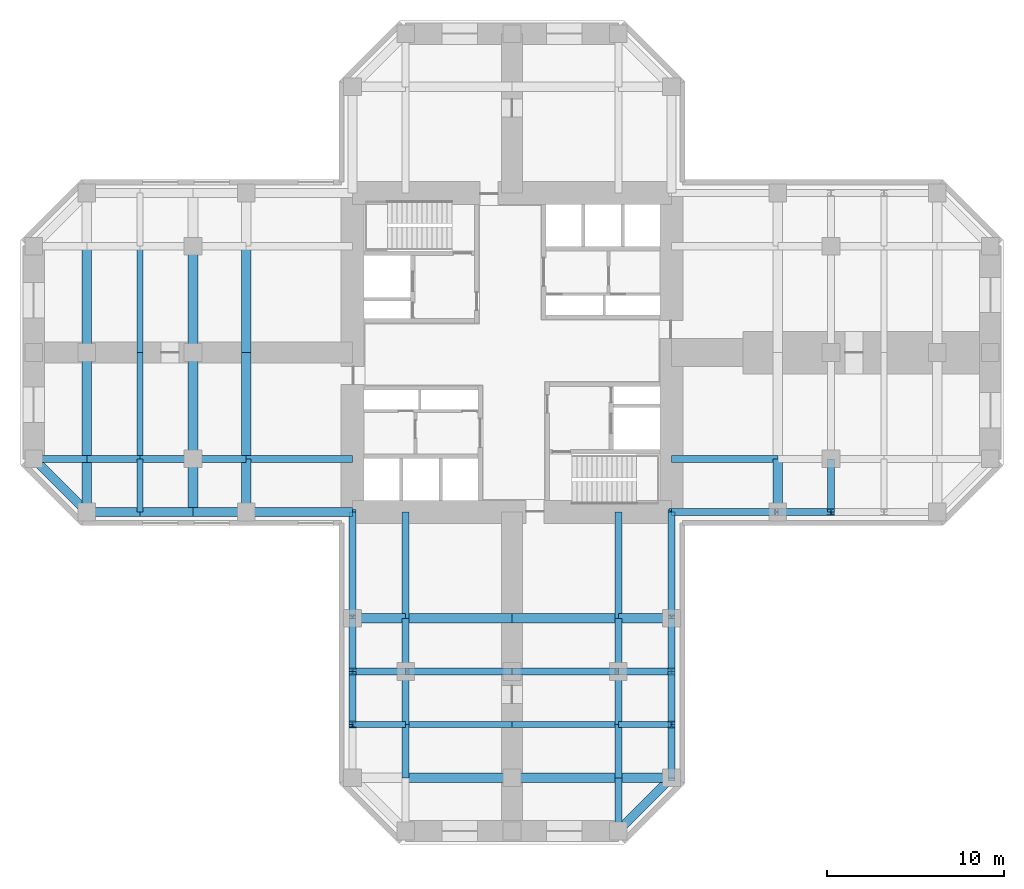
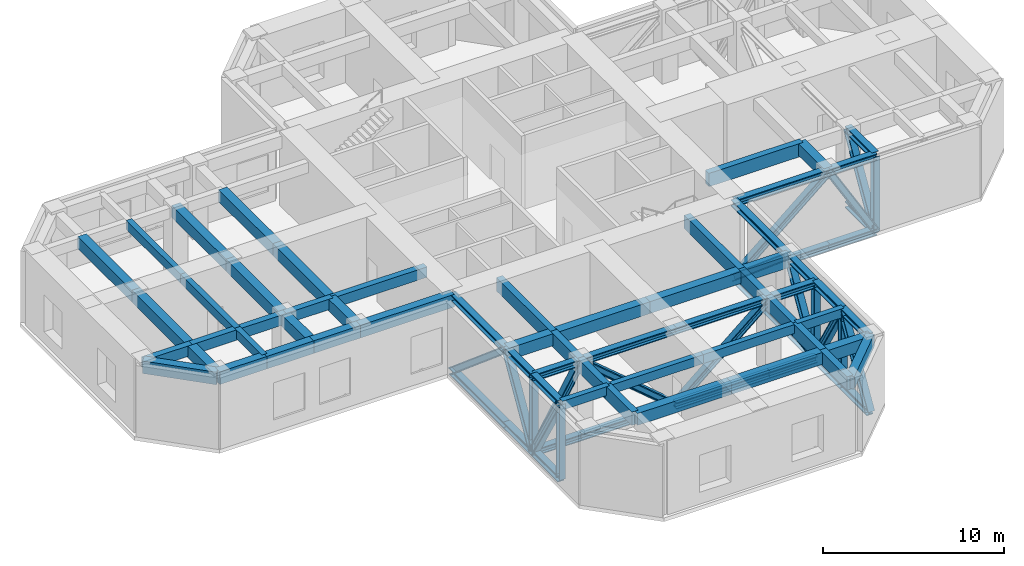
# One storey, part 2 of 8: 47 members, 45 beams.
"""IFC4 building model written with IfcOpenShell, lengths in metres."""

from ifc_helpers import new_model, si_unit, direction, frame, origin, origin_2d, place, context, subcontext, project, spatial, rectangle, i_section, extrude, material, material_profile, profile_set, type_object, element, save


model = new_model("IFC4")

# Units and contexts
model_context = context("Model", 3, precision=1e-05, world=origin(), true_north=direction((0.0, 1.0)))
body_context = subcontext(model_context, "Body", "Model", "MODEL_VIEW")
ifc_project = project(units=[si_unit("LENGTHUNIT", "METRE"), si_unit("AREAUNIT", "SQUARE_METRE"), si_unit("VOLUMEUNIT", "CUBIC_METRE"), si_unit("PLANEANGLEUNIT", "RADIAN"), si_unit("MASSUNIT", "GRAM", prefix="KILO")], contexts=[model_context])

# Site, building, storey
site_placement = place(None, origin())
site = spatial("IfcSite", under=ifc_project, at=site_placement, CompositionType="ELEMENT")
building_placement = place(site_placement, origin())
building = spatial("IfcBuilding", under=site, at=building_placement, Name="Torre Cruceta", CompositionType="ELEMENT")
storey_placement = place(building_placement, frame((0.0, 0.0, 164.5)))
storey = spatial("IfcBuildingStorey", under=building, at=storey_placement, Name="L40", CompositionType="ELEMENT", Elevation=164.5)

# Members
ifc_material_1 = material(Name="Steel A913 Gr65", Category="steel")
ifc_material_profile_1 = material_profile(ifc_material_1, i_section(OverallWidth=0.41162109375, OverallDepth=0.434326171875, WebThickness=0.035888671875, FlangeThickness=0.057373046875, at=origin_2d()), Name="W14X311")
ifc_profile_set_1 = profile_set([ifc_material_profile_1], Name="Steel A913 Gr65")
member_type_1 = type_object("IfcMemberType", Name="BELT TRUSS CHORD 2 W14X311", PredefinedType="CHORD", material=ifc_profile_set_1)
for number, where, z_axis, x_axis, name in (
    (1, (9.0, -9.0, -0.467041015625), (1.0, 0.0, 0.0), (0.0, 1.0, 0.0), "Belt truss 2 S-B1"),
    (2, (9.0, -9.0, 4.602783203125), (1.0, 0.0, 0.0), (0.0, 1.0, 0.0), "Belt truss 2 S-T1"),
):
    element("IfcMember", number, at=place(storey_placement, frame(where, z_axis=z_axis, x_axis=x_axis)), inside=storey, type_object=member_type_1, Name=name, PredefinedType="CHORD", context=body_context, shape_type="SweptSolid", body=[
        extrude(i_section(OverallWidth=0.41162109375, OverallDepth=0.434326171875, WebThickness=0.035888671875, FlangeThickness=0.057373046875, at=origin_2d()), origin(), (0.0, 0.0, 1.0), 6.0),
    ])
for number, where, z_axis, x_axis, name in (
    (3, (15.0, -9.0, -0.467041015625), (1.0, 0.0, 0.0), (0.0, 1.0, 0.0), "Belt truss 2 S-B2"),
    (4, (15.0, -9.0, 4.602783203125), (1.0, 0.0, 0.0), (0.0, 1.0, 0.0), "Belt truss 2 S-T2"),
    (5, (18.0, -9.0, -0.467041015625), (0.0, 1.0, 0.0), (-1.0, 0.0, 0.0), "Belt truss 2 XB1"),
    (6, (18.0, -9.0, 4.602783203125), (0.0, 1.0, 0.0), (-1.0, 0.0, 0.0), "Belt truss 2 XT1"),
):
    element("IfcMember", number, at=place(storey_placement, frame(where, z_axis=z_axis, x_axis=x_axis)), inside=storey, type_object=member_type_1, Name=name, PredefinedType="CHORD", context=body_context, shape_type="SweptSolid", body=[
        extrude(i_section(OverallWidth=0.41162109375, OverallDepth=0.434326171875, WebThickness=0.035888671875, FlangeThickness=0.057373046875, at=origin_2d()), origin(), (0.0, 0.0, 1.0), 3.0),
    ])
ifc_material_2 = material(Name="Steel A913 Gr65", Category="steel")
ifc_material_profile_2 = material_profile(ifc_material_2, i_section(OverallWidth=0.41162109375, OverallDepth=0.434326171875, WebThickness=0.035888671875, FlangeThickness=0.057373046875, at=origin_2d()), Name="W14X311")
ifc_profile_set_2 = profile_set([ifc_material_profile_2], Name="Steel A913 Gr65")
member_type_2 = type_object("IfcMemberType", Name="BELT TRUSS DIAGONAL 2 W14X311", PredefinedType="BRACE", material=ifc_profile_set_2)
member_1_placement = place(storey_placement, frame((9.0, -9.0, -0.467041015625), z_axis=(0.763831732231, 0.0, 0.645415435853), x_axis=(0.0, 1.0, 0.0)))
element("IfcMember", 7, at=member_1_placement, inside=storey, type_object=member_type_2, Name="Belt truss 2 S-D1", PredefinedType="BRACE", context=body_context, shape_type="SweptSolid", body=[
    extrude(i_section(OverallWidth=0.41162109375, OverallDepth=0.434326171875, WebThickness=0.035888671875, FlangeThickness=0.057373046875, at=origin_2d()), origin(), (0.0, 0.0, 1.0), 7.855224609375),
])
for number, where, z_axis, x_axis, name in (
    (8, (18.0, -9.0, -0.467041015625), (-0.509257001606, 0.0, 0.860614493438), (0.0, -1.0, 0.0), "Belt truss 2 S-D2"),
    (9, (18.0, -9.0, -0.467041015625), (0.0, 0.509257001606, 0.860614493438), (-1.0, 0.0, 0.0), "Belt truss 2 XD1"),
):
    element("IfcMember", number, at=place(storey_placement, frame(where, z_axis=z_axis, x_axis=x_axis)), inside=storey, type_object=member_type_2, Name=name, PredefinedType="BRACE", context=body_context, shape_type="SweptSolid", body=[
        extrude(i_section(OverallWidth=0.41162109375, OverallDepth=0.434326171875, WebThickness=0.035888671875, FlangeThickness=0.057373046875, at=origin_2d()), origin(), (0.0, 0.0, 1.0), 5.890869140625),
    ])
ifc_material_3 = material(Name="Steel A913 Gr65", Category="steel")
ifc_material_profile_3 = material_profile(ifc_material_3, i_section(OverallWidth=0.393798828125, OverallDepth=0.3759765625, WebThickness=0.017333984375, FlangeThickness=0.027587890625, at=origin_2d()), Name="W14X145")
ifc_profile_set_3 = profile_set([ifc_material_profile_3], Name="Steel A913 Gr65")
member_type_3 = type_object("IfcMemberType", Name="BELT TRUSS POST 2 W14X145", PredefinedType="POST", material=ifc_profile_set_3)
member_2_placement = place(storey_placement, frame((18.0, -9.0, -0.467041015625), z_axis=(0.0, 0.0, 1.0), x_axis=(1.0, 0.0, 0.0)))
element("IfcMember", 10, at=member_2_placement, inside=storey, type_object=member_type_3, Name="Belt truss 2 S-P18", PredefinedType="POST", context=body_context, shape_type="SweptSolid", body=[
    extrude(i_section(OverallWidth=0.393798828125, OverallDepth=0.3759765625, WebThickness=0.017333984375, FlangeThickness=0.027587890625, at=origin_2d()), origin(), (0.0, 0.0, 1.0), 5.06982421875),
])

# Beams
ifc_material_4 = material(Name="Concrete G60 (fck 60 MPa)", Category="concrete")
ifc_material_profile_4 = material_profile(ifc_material_4, rectangle(XDim=0.39990234375, YDim=0.699951171875, at=origin_2d()), Name="RC 400X700")
ifc_profile_set_4 = profile_set([ifc_material_profile_4], Name="Concrete G60 (fck 60 MPa)")
beam_type_1 = type_object("IfcBeamType", Name="COLUMN LINE BEAM RC 400X700", PredefinedType="BEAM", material=ifc_profile_set_4)
beam_1_placement = place(storey_placement, frame((-9.0, -6.0, 4.469970703125), z_axis=(-1.0, 0.0, 0.0), x_axis=(0.0, -1.0, 0.0)))
element("IfcBeam", 11, at=beam_1_placement, inside=storey, type_object=beam_type_1, Name="LB5 L40 W col+ 1", PredefinedType="BEAM", context=body_context, shape_type="SweptSolid", body=[
    extrude(rectangle(XDim=0.39990234375, YDim=0.699951171875, at=origin_2d()), origin(), (0.0, 0.0, 1.0), 6.0),
])
for number, where, z_axis, x_axis, name in (
    (12, (-15.0, -6.0, 4.469970703125), (-1.0, 0.0, 0.0), (0.0, -1.0, 0.0), "LB5 L40 W col+ 2"),
    (13, (-18.0, -6.0, 4.469970703125), (-1.0, 0.0, 0.0), (0.0, -1.0, 0.0), "LB5 L40 W col+ 3"),
    (14, (-21.0, -6.0, 4.469970703125), (-1.0, 0.0, 0.0), (0.0, -1.0, 0.0), "LB5 L40 W col+ 4"),
    (15, (-24.0, -6.0, 4.469970703125), (-1.0, 0.0, 0.0), (0.0, -1.0, 0.0), "LB5 L40 W col+ 5"),
):
    element("IfcBeam", number, at=place(storey_placement, frame(where, z_axis=z_axis, x_axis=x_axis)), inside=storey, type_object=beam_type_1, Name=name, PredefinedType="BEAM", context=body_context, shape_type="SweptSolid", body=[
        extrude(rectangle(XDim=0.39990234375, YDim=0.699951171875, at=origin_2d()), origin(), (0.0, 0.0, 1.0), 3.0),
    ])
ifc_material_5 = material(Name="Concrete G60 (fck 60 MPa)", Category="concrete")
ifc_material_profile_5 = material_profile(ifc_material_5, rectangle(XDim=0.39990234375, YDim=0.89990234375, at=origin_2d()), Name="RC 400X900")
ifc_profile_set_5 = profile_set([ifc_material_profile_5], Name="Concrete G60 (fck 60 MPa)")
beam_type_2 = type_object("IfcBeamType", Name="COLUMN LINE BEAM RC 400X900", PredefinedType="BEAM", material=ifc_profile_set_5)
for number, where, z_axis, x_axis, name in (
    (16, (9.0, -6.0, 4.3701171875), (1.0, 0.0, 0.0), (0.0, 1.0, 0.0), "LB6 L40 E col- 1"),
    (17, (-6.0, -9.0, 4.3701171875), (0.0, -1.0, 0.0), (1.0, 0.0, 0.0), "LB6 L40 S col- 1"),
):
    element("IfcBeam", number, at=place(storey_placement, frame(where, z_axis=z_axis, x_axis=x_axis)), inside=storey, type_object=beam_type_2, Name=name, PredefinedType="BEAM", context=body_context, shape_type="SweptSolid", body=[
        extrude(rectangle(XDim=0.39990234375, YDim=0.89990234375, at=origin_2d()), origin(), (0.0, 0.0, 1.0), 6.0),
    ])
for number, where, z_axis, x_axis, name in (
    (18, (-6.0, -15.0, 4.3701171875), (0.0, -1.0, 0.0), (1.0, 0.0, 0.0), "LB6 L40 S col- 2"),
    (19, (-6.0, -18.0, 4.3701171875), (0.0, -1.0, 0.0), (1.0, 0.0, 0.0), "LB6 L40 S col- 3"),
    (20, (-6.0, -21.0, 4.3701171875), (0.0, -1.0, 0.0), (1.0, 0.0, 0.0), "LB6 L40 S col- 4"),
):
    element("IfcBeam", number, at=place(storey_placement, frame(where, z_axis=z_axis, x_axis=x_axis)), inside=storey, type_object=beam_type_2, Name=name, PredefinedType="BEAM", context=body_context, shape_type="SweptSolid", body=[
        extrude(rectangle(XDim=0.39990234375, YDim=0.89990234375, at=origin_2d()), origin(), (0.0, 0.0, 1.0), 3.0),
    ])
beam_2_placement = place(storey_placement, frame((6.0, -9.0, 4.3701171875), z_axis=(0.0, -1.0, 0.0), x_axis=(1.0, 0.0, 0.0)))
element("IfcBeam", 21, at=beam_2_placement, inside=storey, type_object=beam_type_2, Name="LB6 L40 S col+ 1", PredefinedType="BEAM", context=body_context, shape_type="SweptSolid", body=[
    extrude(rectangle(XDim=0.39990234375, YDim=0.89990234375, at=origin_2d()), origin(), (0.0, 0.0, 1.0), 6.0),
])
for number, where, z_axis, x_axis, name in (
    (22, (6.0, -15.0, 4.3701171875), (0.0, -1.0, 0.0), (1.0, 0.0, 0.0), "LB6 L40 S col+ 2"),
    (23, (6.0, -18.0, 4.3701171875), (0.0, -1.0, 0.0), (1.0, 0.0, 0.0), "LB6 L40 S col+ 3"),
    (24, (6.0, -21.0, 4.3701171875), (0.0, -1.0, 0.0), (1.0, 0.0, 0.0), "LB6 L40 S col+ 4"),
    (25, (6.0, -24.0, 4.3701171875), (0.0, -1.0, 0.0), (1.0, 0.0, 0.0), "LB6 L40 S col+ 5"),
):
    element("IfcBeam", number, at=place(storey_placement, frame(where, z_axis=z_axis, x_axis=x_axis)), inside=storey, type_object=beam_type_2, Name=name, PredefinedType="BEAM", context=body_context, shape_type="SweptSolid", body=[
        extrude(rectangle(XDim=0.39990234375, YDim=0.89990234375, at=origin_2d()), origin(), (0.0, 0.0, 1.0), 3.0),
    ])
ifc_material_6 = material(Name="Concrete G60 (fck 60 MPa)", Category="concrete")
ifc_material_profile_6 = material_profile(ifc_material_6, rectangle(XDim=0.550048828125, YDim=0.800048828125, at=origin_2d()), Name="RC 550X800")
ifc_profile_set_6 = profile_set([ifc_material_profile_6], Name="Concrete G60 (fck 60 MPa)")
beam_type_3 = type_object("IfcBeamType", Name="CROSS BEAM RC 550X800", PredefinedType="BEAM", material=ifc_profile_set_6)
for number, where, z_axis, x_axis, name in (
    (26, (15.0, -9.0, 4.419921875), (0.0, 1.0, 0.0), (-1.0, 0.0, 0.0), "GB5 L40 E cross15 1"),
    (27, (-9.0, -15.0, 4.419921875), (1.0, 0.0, 0.0), (0.0, 1.0, 0.0), "GB5 L40 S cross15 1"),
):
    element("IfcBeam", number, at=place(storey_placement, frame(where, z_axis=z_axis, x_axis=x_axis)), inside=storey, type_object=beam_type_3, Name=name, PredefinedType="BEAM", context=body_context, shape_type="SweptSolid", body=[
        extrude(rectangle(XDim=0.550048828125, YDim=0.800048828125, at=origin_2d()), origin(), (0.0, 0.0, 1.0), 3.0),
    ])
for number, where, z_axis, x_axis, name in (
    (28, (-6.0, -15.0, 4.419921875), (1.0, 0.0, 0.0), (0.0, 1.0, 0.0), "GB5 L40 S cross15 2"),
    (29, (0.0, -15.0, 4.419921875), (1.0, 0.0, 0.0), (0.0, 1.0, 0.0), "GB5 L40 S cross15 3"),
):
    element("IfcBeam", number, at=place(storey_placement, frame(where, z_axis=z_axis, x_axis=x_axis)), inside=storey, type_object=beam_type_3, Name=name, PredefinedType="BEAM", context=body_context, shape_type="SweptSolid", body=[
        extrude(rectangle(XDim=0.550048828125, YDim=0.800048828125, at=origin_2d()), origin(), (0.0, 0.0, 1.0), 6.0),
    ])
beam_3_placement = place(storey_placement, frame((6.0, -15.0, 4.419921875), z_axis=(1.0, 0.0, 0.0), x_axis=(0.0, 1.0, 0.0)))
element("IfcBeam", 30, at=beam_3_placement, inside=storey, type_object=beam_type_3, Name="GB5 L40 S cross15 4", PredefinedType="BEAM", context=body_context, shape_type="SweptSolid", body=[
    extrude(rectangle(XDim=0.550048828125, YDim=0.800048828125, at=origin_2d()), origin(), (0.0, 0.0, 1.0), 3.0),
])
for number, where, z_axis, x_axis, name in (
    (31, (-6.0, -24.0, 4.419921875), (1.0, 0.0, 0.0), (0.0, 1.0, 0.0), "GB5 L40 S cross24 2"),
    (32, (0.0, -24.0, 4.419921875), (1.0, 0.0, 0.0), (0.0, 1.0, 0.0), "GB5 L40 S cross24 3"),
):
    element("IfcBeam", number, at=place(storey_placement, frame(where, z_axis=z_axis, x_axis=x_axis)), inside=storey, type_object=beam_type_3, Name=name, PredefinedType="BEAM", context=body_context, shape_type="SweptSolid", body=[
        extrude(rectangle(XDim=0.550048828125, YDim=0.800048828125, at=origin_2d()), origin(), (0.0, 0.0, 1.0), 6.0),
    ])
beam_4_placement = place(storey_placement, frame((6.0, -24.0, 4.419921875), z_axis=(1.0, 0.0, 0.0), x_axis=(0.0, 1.0, 0.0)))
element("IfcBeam", 33, at=beam_4_placement, inside=storey, type_object=beam_type_3, Name="GB5 L40 S cross24 4", PredefinedType="BEAM", context=body_context, shape_type="SweptSolid", body=[
    extrude(rectangle(XDim=0.550048828125, YDim=0.800048828125, at=origin_2d()), origin(), (0.0, 0.0, 1.0), 3.0),
])
for number, where, z_axis, x_axis, name in (
    (34, (-15.0, 6.0, 4.419921875), (0.0, -1.0, 0.0), (1.0, 0.0, 0.0), "GB5 L40 W cross15 2"),
    (35, (-15.0, 0.0, 4.419921875), (0.0, -1.0, 0.0), (1.0, 0.0, 0.0), "GB5 L40 W cross15 3"),
):
    element("IfcBeam", number, at=place(storey_placement, frame(where, z_axis=z_axis, x_axis=x_axis)), inside=storey, type_object=beam_type_3, Name=name, PredefinedType="BEAM", context=body_context, shape_type="SweptSolid", body=[
        extrude(rectangle(XDim=0.550048828125, YDim=0.800048828125, at=origin_2d()), origin(), (0.0, 0.0, 1.0), 6.0),
    ])
beam_5_placement = place(storey_placement, frame((-15.0, -6.0, 4.419921875), z_axis=(0.0, -1.0, 0.0), x_axis=(1.0, 0.0, 0.0)))
element("IfcBeam", 36, at=beam_5_placement, inside=storey, type_object=beam_type_3, Name="GB5 L40 W cross15 4", PredefinedType="BEAM", context=body_context, shape_type="SweptSolid", body=[
    extrude(rectangle(XDim=0.550048828125, YDim=0.800048828125, at=origin_2d()), origin(), (0.0, 0.0, 1.0), 3.0),
])
for number, where, z_axis, x_axis, name in (
    (37, (-18.0, 6.0, 4.419921875), (0.0, -1.0, 0.0), (1.0, 0.0, 0.0), "GB5 L40 W cross18 2"),
    (38, (-18.0, 0.0, 4.419921875), (0.0, -1.0, 0.0), (1.0, 0.0, 0.0), "GB5 L40 W cross18 3"),
):
    element("IfcBeam", number, at=place(storey_placement, frame(where, z_axis=z_axis, x_axis=x_axis)), inside=storey, type_object=beam_type_3, Name=name, PredefinedType="BEAM", context=body_context, shape_type="SweptSolid", body=[
        extrude(rectangle(XDim=0.550048828125, YDim=0.800048828125, at=origin_2d()), origin(), (0.0, 0.0, 1.0), 6.0),
    ])
beam_6_placement = place(storey_placement, frame((-18.0, -6.0, 4.419921875), z_axis=(0.0, -1.0, 0.0), x_axis=(1.0, 0.0, 0.0)))
element("IfcBeam", 39, at=beam_6_placement, inside=storey, type_object=beam_type_3, Name="GB5 L40 W cross18 4", PredefinedType="BEAM", context=body_context, shape_type="SweptSolid", body=[
    extrude(rectangle(XDim=0.550048828125, YDim=0.800048828125, at=origin_2d()), origin(), (0.0, 0.0, 1.0), 3.0),
])
for number, where, z_axis, x_axis, name in (
    (40, (-24.0, 6.0, 4.419921875), (0.0, -1.0, 0.0), (1.0, 0.0, 0.0), "GB5 L40 W cross24 2"),
    (41, (-24.0, 0.0, 4.419921875), (0.0, -1.0, 0.0), (1.0, 0.0, 0.0), "GB5 L40 W cross24 3"),
):
    element("IfcBeam", number, at=place(storey_placement, frame(where, z_axis=z_axis, x_axis=x_axis)), inside=storey, type_object=beam_type_3, Name=name, PredefinedType="BEAM", context=body_context, shape_type="SweptSolid", body=[
        extrude(rectangle(XDim=0.550048828125, YDim=0.800048828125, at=origin_2d()), origin(), (0.0, 0.0, 1.0), 6.0),
    ])
beam_7_placement = place(storey_placement, frame((-24.0, -6.0, 4.419921875), z_axis=(0.0, -1.0, 0.0), x_axis=(1.0, 0.0, 0.0)))
element("IfcBeam", 42, at=beam_7_placement, inside=storey, type_object=beam_type_3, Name="GB5 L40 W cross24 4", PredefinedType="BEAM", context=body_context, shape_type="SweptSolid", body=[
    extrude(rectangle(XDim=0.550048828125, YDim=0.800048828125, at=origin_2d()), origin(), (0.0, 0.0, 1.0), 3.0),
])

# Members
ifc_material_7 = material(Name="Steel A913 Gr65", Category="steel")
ifc_material_profile_7 = material_profile(ifc_material_7, i_section(OverallWidth=0.41162109375, OverallDepth=0.434326171875, WebThickness=0.035888671875, FlangeThickness=0.057373046875, at=origin_2d()), Name="W14X311")
ifc_profile_set_7 = profile_set([ifc_material_profile_7], Name="Steel A913 Gr65")
member_type_4 = type_object("IfcMemberType", Name="OUTRIGGER TRUSS CHORD 2 W14X311", PredefinedType="CHORD", material=ifc_profile_set_7)
for number, where, z_axis, x_axis, name in (
    (43, (-9.0, -9.0, -0.467041015625), (0.0, -1.0, 0.0), (1.0, 0.0, 0.0), "Outrigger truss 2 S S-B1"),
    (44, (-9.0, -9.0, 4.602783203125), (0.0, -1.0, 0.0), (1.0, 0.0, 0.0), "Outrigger truss 2 S S-T1"),
):
    element("IfcMember", number, at=place(storey_placement, frame(where, z_axis=z_axis, x_axis=x_axis)), inside=storey, type_object=member_type_4, Name=name, PredefinedType="CHORD", context=body_context, shape_type="SweptSolid", body=[
        extrude(i_section(OverallWidth=0.41162109375, OverallDepth=0.434326171875, WebThickness=0.035888671875, FlangeThickness=0.057373046875, at=origin_2d()), origin(), (0.0, 0.0, 1.0), 6.0),
    ])
for number, where, z_axis, x_axis, name in (
    (45, (-9.0, -15.0, -0.467041015625), (0.0, -1.0, 0.0), (1.0, 0.0, 0.0), "Outrigger truss 2 S S-B2"),
    (46, (-9.0, -15.0, 4.602783203125), (0.0, -1.0, 0.0), (1.0, 0.0, 0.0), "Outrigger truss 2 S S-T2"),
    (47, (-9.0, -18.0, -0.467041015625), (0.0, -1.0, 0.0), (1.0, 0.0, 0.0), "Outrigger truss 2 S S-B3"),
    (48, (-9.0, -18.0, 4.602783203125), (0.0, -1.0, 0.0), (1.0, 0.0, 0.0), "Outrigger truss 2 S S-T3"),
):
    element("IfcMember", number, at=place(storey_placement, frame(where, z_axis=z_axis, x_axis=x_axis)), inside=storey, type_object=member_type_4, Name=name, PredefinedType="CHORD", context=body_context, shape_type="SweptSolid", body=[
        extrude(i_section(OverallWidth=0.41162109375, OverallDepth=0.434326171875, WebThickness=0.035888671875, FlangeThickness=0.057373046875, at=origin_2d()), origin(), (0.0, 0.0, 1.0), 3.0),
    ])
for number, where, z_axis, x_axis, name in (
    (49, (9.0, -9.0, -0.467041015625), (0.0, -1.0, 0.0), (1.0, 0.0, 0.0), "Outrigger truss 2 S S+B1"),
    (50, (9.0, -9.0, 4.602783203125), (0.0, -1.0, 0.0), (1.0, 0.0, 0.0), "Outrigger truss 2 S S+T1"),
):
    element("IfcMember", number, at=place(storey_placement, frame(where, z_axis=z_axis, x_axis=x_axis)), inside=storey, type_object=member_type_4, Name=name, PredefinedType="CHORD", context=body_context, shape_type="SweptSolid", body=[
        extrude(i_section(OverallWidth=0.41162109375, OverallDepth=0.434326171875, WebThickness=0.035888671875, FlangeThickness=0.057373046875, at=origin_2d()), origin(), (0.0, 0.0, 1.0), 6.0),
    ])
for number, where, z_axis, x_axis, name in (
    (51, (9.0, -15.0, -0.467041015625), (0.0, -1.0, 0.0), (1.0, 0.0, 0.0), "Outrigger truss 2 S S+B2"),
    (52, (9.0, -15.0, 4.602783203125), (0.0, -1.0, 0.0), (1.0, 0.0, 0.0), "Outrigger truss 2 S S+T2"),
    (53, (9.0, -18.0, -0.467041015625), (0.0, -1.0, 0.0), (1.0, 0.0, 0.0), "Outrigger truss 2 S S+B3"),
    (54, (9.0, -18.0, 4.602783203125), (0.0, -1.0, 0.0), (1.0, 0.0, 0.0), "Outrigger truss 2 S S+T3"),
    (55, (9.0, -21.0, -0.467041015625), (0.0, -1.0, 0.0), (1.0, 0.0, 0.0), "Outrigger truss 2 S S+B4"),
    (56, (9.0, -21.0, 4.602783203125), (0.0, -1.0, 0.0), (1.0, 0.0, 0.0), "Outrigger truss 2 S S+T4"),
    (57, (-9.0, -18.0, -0.467041015625), (1.0, 0.0, 0.0), (0.0, 1.0, 0.0), "Outrigger truss 2 S XB1"),
    (58, (-9.0, -18.0, 4.602783203125), (1.0, 0.0, 0.0), (0.0, 1.0, 0.0), "Outrigger truss 2 S XT1"),
):
    element("IfcMember", number, at=place(storey_placement, frame(where, z_axis=z_axis, x_axis=x_axis)), inside=storey, type_object=member_type_4, Name=name, PredefinedType="CHORD", context=body_context, shape_type="SweptSolid", body=[
        extrude(i_section(OverallWidth=0.41162109375, OverallDepth=0.434326171875, WebThickness=0.035888671875, FlangeThickness=0.057373046875, at=origin_2d()), origin(), (0.0, 0.0, 1.0), 3.0),
    ])
for number, where, z_axis, x_axis, name in (
    (59, (-6.0, -18.0, -0.467041015625), (1.0, 0.0, 0.0), (0.0, 1.0, 0.0), "Outrigger truss 2 S XB2"),
    (60, (-6.0, -18.0, 4.602783203125), (1.0, 0.0, 0.0), (0.0, 1.0, 0.0), "Outrigger truss 2 S XT2"),
    (61, (0.0, -18.0, -0.467041015625), (1.0, 0.0, 0.0), (0.0, 1.0, 0.0), "Outrigger truss 2 S XB3"),
    (62, (0.0, -18.0, 4.602783203125), (1.0, 0.0, 0.0), (0.0, 1.0, 0.0), "Outrigger truss 2 S XT3"),
):
    element("IfcMember", number, at=place(storey_placement, frame(where, z_axis=z_axis, x_axis=x_axis)), inside=storey, type_object=member_type_4, Name=name, PredefinedType="CHORD", context=body_context, shape_type="SweptSolid", body=[
        extrude(i_section(OverallWidth=0.41162109375, OverallDepth=0.434326171875, WebThickness=0.035888671875, FlangeThickness=0.057373046875, at=origin_2d()), origin(), (0.0, 0.0, 1.0), 6.0),
    ])
for number, where, z_axis, x_axis, name in (
    (63, (6.0, -18.0, -0.467041015625), (1.0, 0.0, 0.0), (0.0, 1.0, 0.0), "Outrigger truss 2 S XB4"),
    (64, (6.0, -18.0, 4.602783203125), (1.0, 0.0, 0.0), (0.0, 1.0, 0.0), "Outrigger truss 2 S XT4"),
):
    element("IfcMember", number, at=place(storey_placement, frame(where, z_axis=z_axis, x_axis=x_axis)), inside=storey, type_object=member_type_4, Name=name, PredefinedType="CHORD", context=body_context, shape_type="SweptSolid", body=[
        extrude(i_section(OverallWidth=0.41162109375, OverallDepth=0.434326171875, WebThickness=0.035888671875, FlangeThickness=0.057373046875, at=origin_2d()), origin(), (0.0, 0.0, 1.0), 3.0),
    ])
ifc_material_8 = material(Name="Steel A913 Gr65", Category="steel")
ifc_material_profile_8 = material_profile(ifc_material_8, i_section(OverallWidth=0.41162109375, OverallDepth=0.434326171875, WebThickness=0.035888671875, FlangeThickness=0.057373046875, at=origin_2d()), Name="W14X311")
ifc_profile_set_8 = profile_set([ifc_material_profile_8], Name="Steel A913 Gr65")
member_type_5 = type_object("IfcMemberType", Name="OUTRIGGER TRUSS DIAGONAL 2 W14X311", PredefinedType="BRACE", material=ifc_profile_set_8)
member_3_placement = place(storey_placement, frame((-9.0, -9.0, -0.467041015625), z_axis=(0.0, -0.763831732231, 0.645415435853), x_axis=(1.0, 0.0, 0.0)))
element("IfcMember", 65, at=member_3_placement, inside=storey, type_object=member_type_5, Name="Outrigger truss 2 S S-D1", PredefinedType="BRACE", context=body_context, shape_type="SweptSolid", body=[
    extrude(i_section(OverallWidth=0.41162109375, OverallDepth=0.434326171875, WebThickness=0.035888671875, FlangeThickness=0.057373046875, at=origin_2d()), origin(), (0.0, 0.0, 1.0), 7.855224609375),
])
for number, where, z_axis, x_axis, name in (
    (66, (-9.0, -18.0, -0.467041015625), (0.0, 0.509257001606, 0.860614493438), (-1.0, 0.0, 0.0), "Outrigger truss 2 S S-D2"),
    (67, (-9.0, -18.0, -0.467041015625), (0.0, -0.509257001606, 0.860614493438), (1.0, 0.0, 0.0), "Outrigger truss 2 S S-D3"),
):
    element("IfcMember", number, at=place(storey_placement, frame(where, z_axis=z_axis, x_axis=x_axis)), inside=storey, type_object=member_type_5, Name=name, PredefinedType="BRACE", context=body_context, shape_type="SweptSolid", body=[
        extrude(i_section(OverallWidth=0.41162109375, OverallDepth=0.434326171875, WebThickness=0.035888671875, FlangeThickness=0.057373046875, at=origin_2d()), origin(), (0.0, 0.0, 1.0), 5.890869140625),
    ])
member_4_placement = place(storey_placement, frame((9.0, -9.0, -0.467041015625), z_axis=(0.0, -0.763831732231, 0.645415435853), x_axis=(1.0, 0.0, 0.0)))
element("IfcMember", 68, at=member_4_placement, inside=storey, type_object=member_type_5, Name="Outrigger truss 2 S S+D1", PredefinedType="BRACE", context=body_context, shape_type="SweptSolid", body=[
    extrude(i_section(OverallWidth=0.41162109375, OverallDepth=0.434326171875, WebThickness=0.035888671875, FlangeThickness=0.057373046875, at=origin_2d()), origin(), (0.0, 0.0, 1.0), 7.855224609375),
])
for number, where, z_axis, x_axis, name in (
    (69, (9.0, -18.0, -0.467041015625), (0.0, 0.509257001606, 0.860614493438), (-1.0, 0.0, 0.0), "Outrigger truss 2 S S+D2"),
    (70, (9.0, -18.0, -0.467041015625), (0.0, -0.509257001606, 0.860614493438), (1.0, 0.0, 0.0), "Outrigger truss 2 S S+D3"),
    (71, (9.0, -24.0, -0.467041015625), (0.0, 0.509257001606, 0.860614493438), (-1.0, 0.0, 0.0), "Outrigger truss 2 S S+D4"),
    (72, (-9.0, -18.0, -0.467041015625), (0.509257001606, 0.0, 0.860614493438), (0.0, 1.0, 0.0), "Outrigger truss 2 S XD1"),
):
    element("IfcMember", number, at=place(storey_placement, frame(where, z_axis=z_axis, x_axis=x_axis)), inside=storey, type_object=member_type_5, Name=name, PredefinedType="BRACE", context=body_context, shape_type="SweptSolid", body=[
        extrude(i_section(OverallWidth=0.41162109375, OverallDepth=0.434326171875, WebThickness=0.035888671875, FlangeThickness=0.057373046875, at=origin_2d()), origin(), (0.0, 0.0, 1.0), 5.890869140625),
    ])
for number, where, z_axis, x_axis, name in (
    (73, (0.0, -18.0, -0.467041015625), (-0.763831732231, 0.0, 0.645415435853), (0.0, -1.0, 0.0), "Outrigger truss 2 S XD2"),
    (74, (0.0, -18.0, -0.467041015625), (0.763831732231, 0.0, 0.645415435853), (0.0, 1.0, 0.0), "Outrigger truss 2 S XD3"),
):
    element("IfcMember", number, at=place(storey_placement, frame(where, z_axis=z_axis, x_axis=x_axis)), inside=storey, type_object=member_type_5, Name=name, PredefinedType="BRACE", context=body_context, shape_type="SweptSolid", body=[
        extrude(i_section(OverallWidth=0.41162109375, OverallDepth=0.434326171875, WebThickness=0.035888671875, FlangeThickness=0.057373046875, at=origin_2d()), origin(), (0.0, 0.0, 1.0), 7.855224609375),
    ])
member_5_placement = place(storey_placement, frame((9.0, -18.0, -0.467041015625), z_axis=(-0.509257001606, 0.0, 0.860614493438), x_axis=(0.0, -1.0, 0.0)))
element("IfcMember", 75, at=member_5_placement, inside=storey, type_object=member_type_5, Name="Outrigger truss 2 S XD4", PredefinedType="BRACE", context=body_context, shape_type="SweptSolid", body=[
    extrude(i_section(OverallWidth=0.41162109375, OverallDepth=0.434326171875, WebThickness=0.035888671875, FlangeThickness=0.057373046875, at=origin_2d()), origin(), (0.0, 0.0, 1.0), 5.890869140625),
])
ifc_material_9 = material(Name="Steel A913 Gr65", Category="steel")
ifc_material_profile_9 = material_profile(ifc_material_9, i_section(OverallWidth=0.393798828125, OverallDepth=0.3759765625, WebThickness=0.017333984375, FlangeThickness=0.027587890625, at=origin_2d()), Name="W14X145")
ifc_profile_set_9 = profile_set([ifc_material_profile_9], Name="Steel A913 Gr65")
member_type_6 = type_object("IfcMemberType", Name="OUTRIGGER TRUSS POST 2 W14X145", PredefinedType="POST", material=ifc_profile_set_9)
for number, where, z_axis, x_axis, name in (
    (76, (-9.0, -18.0, -0.467041015625), (0.0, 0.0, 1.0), (1.0, 0.0, 0.0), "Outrigger truss 2 S S-P18"),
    (77, (-9.0, -21.0, -0.467041015625), (0.0, 0.0, 1.0), (1.0, 0.0, 0.0), "Outrigger truss 2 S S-P21"),
    (78, (9.0, -18.0, -0.467041015625), (0.0, 0.0, 1.0), (1.0, 0.0, 0.0), "Outrigger truss 2 S S+P18"),
    (79, (9.0, -21.0, -0.467041015625), (0.0, 0.0, 1.0), (1.0, 0.0, 0.0), "Outrigger truss 2 S S+P21"),
):
    element("IfcMember", number, at=place(storey_placement, frame(where, z_axis=z_axis, x_axis=x_axis)), inside=storey, type_object=member_type_6, Name=name, PredefinedType="POST", context=body_context, shape_type="SweptSolid", body=[
        extrude(i_section(OverallWidth=0.393798828125, OverallDepth=0.3759765625, WebThickness=0.017333984375, FlangeThickness=0.027587890625, at=origin_2d()), origin(), (0.0, 0.0, 1.0), 5.06982421875),
    ])

# Beams
ifc_material_10 = material(Name="Concrete G60 (fck 60 MPa)", Category="concrete")
ifc_material_profile_10 = material_profile(ifc_material_10, rectangle(XDim=0.35009765625, YDim=0.60009765625, at=origin_2d()), Name="RC 350X600")
ifc_profile_set_10 = profile_set([ifc_material_profile_10], Name="Concrete G60 (fck 60 MPa)")
beam_type_4 = type_object("IfcBeamType", Name="SECONDARY BEAM RC 350X600", PredefinedType="JOIST", material=ifc_profile_set_10)
beam_8_placement = place(storey_placement, frame((-9.0, -21.0, 4.52001953125), z_axis=(1.0, 0.0, 0.0), x_axis=(0.0, 1.0, 0.0)))
element("IfcBeam", 80, at=beam_8_placement, inside=storey, type_object=beam_type_4, Name="JB5 L40 S sec21 1", PredefinedType="JOIST", context=body_context, shape_type="SweptSolid", body=[
    extrude(rectangle(XDim=0.35009765625, YDim=0.60009765625, at=origin_2d()), origin(), (0.0, 0.0, 1.0), 3.0),
])
for number, where, z_axis, x_axis, name in (
    (81, (-6.0, -21.0, 4.52001953125), (1.0, 0.0, 0.0), (0.0, 1.0, 0.0), "JB5 L40 S sec21 2"),
    (82, (0.0, -21.0, 4.52001953125), (1.0, 0.0, 0.0), (0.0, 1.0, 0.0), "JB5 L40 S sec21 3"),
):
    element("IfcBeam", number, at=place(storey_placement, frame(where, z_axis=z_axis, x_axis=x_axis)), inside=storey, type_object=beam_type_4, Name=name, PredefinedType="JOIST", context=body_context, shape_type="SweptSolid", body=[
        extrude(rectangle(XDim=0.35009765625, YDim=0.60009765625, at=origin_2d()), origin(), (0.0, 0.0, 1.0), 6.0),
    ])
beam_9_placement = place(storey_placement, frame((6.0, -21.0, 4.52001953125), z_axis=(1.0, 0.0, 0.0), x_axis=(0.0, 1.0, 0.0)))
element("IfcBeam", 83, at=beam_9_placement, inside=storey, type_object=beam_type_4, Name="JB5 L40 S sec21 4", PredefinedType="JOIST", context=body_context, shape_type="SweptSolid", body=[
    extrude(rectangle(XDim=0.35009765625, YDim=0.60009765625, at=origin_2d()), origin(), (0.0, 0.0, 1.0), 3.0),
])
for number, where, z_axis, x_axis, name in (
    (84, (-21.0, 6.0, 4.52001953125), (0.0, -1.0, 0.0), (1.0, 0.0, 0.0), "JB5 L40 W sec21 2"),
    (85, (-21.0, 0.0, 4.52001953125), (0.0, -1.0, 0.0), (1.0, 0.0, 0.0), "JB5 L40 W sec21 3"),
):
    element("IfcBeam", number, at=place(storey_placement, frame(where, z_axis=z_axis, x_axis=x_axis)), inside=storey, type_object=beam_type_4, Name=name, PredefinedType="JOIST", context=body_context, shape_type="SweptSolid", body=[
        extrude(rectangle(XDim=0.35009765625, YDim=0.60009765625, at=origin_2d()), origin(), (0.0, 0.0, 1.0), 6.0),
    ])
beam_10_placement = place(storey_placement, frame((-21.0, -6.0, 4.52001953125), z_axis=(0.0, -1.0, 0.0), x_axis=(1.0, 0.0, 0.0)))
element("IfcBeam", 86, at=beam_10_placement, inside=storey, type_object=beam_type_4, Name="JB5 L40 W sec21 4", PredefinedType="JOIST", context=body_context, shape_type="SweptSolid", body=[
    extrude(rectangle(XDim=0.35009765625, YDim=0.60009765625, at=origin_2d()), origin(), (0.0, 0.0, 1.0), 3.0),
])
ifc_material_11 = material(Name="Concrete G60 (fck 60 MPa)", Category="concrete")
ifc_material_profile_11 = material_profile(ifc_material_11, rectangle(XDim=0.5, YDim=0.85009765625, at=origin_2d()), Name="RC 500X850")
ifc_profile_set_11 = profile_set([ifc_material_profile_11], Name="Concrete G60 (fck 60 MPa)")
beam_type_5 = type_object("IfcBeamType", Name="SPANDREL BEAM RC 500X850", PredefinedType="SPANDREL", material=ifc_profile_set_11)
beam_11_placement = place(storey_placement, frame((9.0, -24.0, 4.39501953125), z_axis=(-0.707106781187, -0.707106781187, 0.0), x_axis=(0.707106781187, -0.707106781187, 0.0)))
element("IfcBeam", 87, at=beam_11_placement, inside=storey, type_object=beam_type_5, Name="SB5 L40 S side+ 5", PredefinedType="SPANDREL", context=body_context, shape_type="SweptSolid", body=[
    extrude(rectangle(XDim=0.5, YDim=0.85009765625, at=origin_2d()), origin(), (0.0, 0.0, 1.0), 4.24267578125),
])
beam_12_placement = place(storey_placement, frame((-9.0, -9.0, 4.39501953125), z_axis=(-1.0, 0.0, 0.0), x_axis=(0.0, -1.0, 0.0)))
element("IfcBeam", 88, at=beam_12_placement, inside=storey, type_object=beam_type_5, Name="SB5 L40 W side+ 1", PredefinedType="SPANDREL", context=body_context, shape_type="SweptSolid", body=[
    extrude(rectangle(XDim=0.5, YDim=0.85009765625, at=origin_2d()), origin(), (0.0, 0.0, 1.0), 6.0),
])
for number, where, z_axis, x_axis, name in (
    (89, (-15.0, -9.0, 4.39501953125), (-1.0, 0.0, 0.0), (0.0, -1.0, 0.0), "SB5 L40 W side+ 2"),
    (90, (-18.0, -9.0, 4.39501953125), (-1.0, 0.0, 0.0), (0.0, -1.0, 0.0), "SB5 L40 W side+ 3"),
    (91, (-21.0, -9.0, 4.39501953125), (-1.0, 0.0, 0.0), (0.0, -1.0, 0.0), "SB5 L40 W side+ 4"),
):
    element("IfcBeam", number, at=place(storey_placement, frame(where, z_axis=z_axis, x_axis=x_axis)), inside=storey, type_object=beam_type_5, Name=name, PredefinedType="SPANDREL", context=body_context, shape_type="SweptSolid", body=[
        extrude(rectangle(XDim=0.5, YDim=0.85009765625, at=origin_2d()), origin(), (0.0, 0.0, 1.0), 3.0),
    ])
beam_13_placement = place(storey_placement, frame((-24.0, -9.0, 4.39501953125), z_axis=(-0.707106781187, 0.707106781187, 0.0), x_axis=(-0.707106781187, -0.707106781187, 0.0)))
element("IfcBeam", 92, at=beam_13_placement, inside=storey, type_object=beam_type_5, Name="SB5 L40 W side+ 5", PredefinedType="SPANDREL", context=body_context, shape_type="SweptSolid", body=[
    extrude(rectangle(XDim=0.5, YDim=0.85009765625, at=origin_2d()), origin(), (0.0, 0.0, 1.0), 4.24267578125),
])

save(model, "model.ifc")
